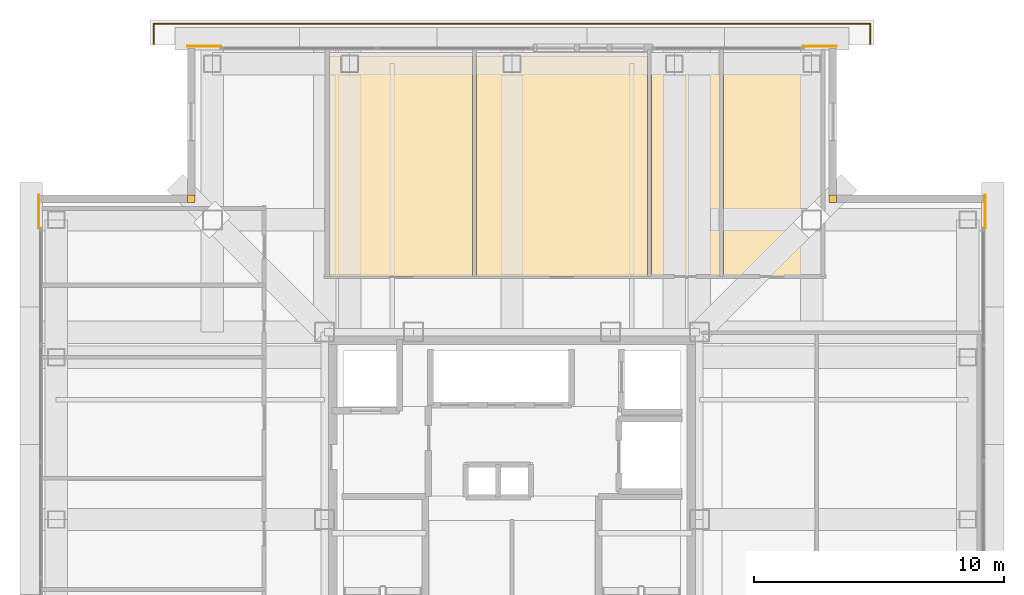
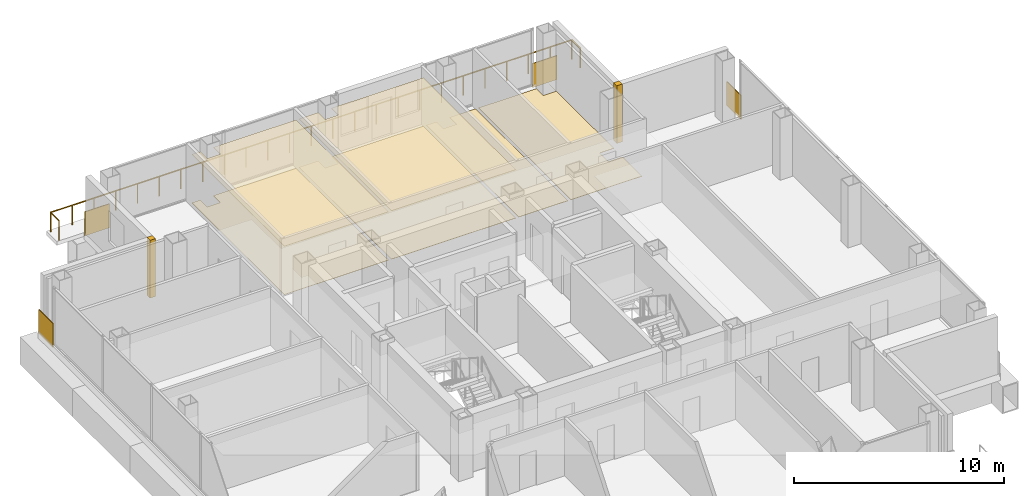
# One storey, part 15 of 15: 12 coverings, 3 railings.
"""IFC4 building model written with IfcOpenShell, lengths in metres."""

from ifc_helpers import new_model, si_unit, direction, frame, frame_2d, origin, origin_2d, place, context, subcontext, project, spatial, polyline, rectangle, circle, outline, extrude, material, layer, layer_set, type_object, element, save


model = new_model("IFC4")

# Units and contexts
model_context = context("Model", 3, precision=1e-05, world=origin(), true_north=direction((0.0, 1.0)))
body_context = subcontext(model_context, "Body", "Model", "MODEL_VIEW")
ifc_project = project(units=[si_unit("LENGTHUNIT", "METRE"), si_unit("AREAUNIT", "SQUARE_METRE"), si_unit("VOLUMEUNIT", "CUBIC_METRE"), si_unit("PLANEANGLEUNIT", "RADIAN"), si_unit("MASSUNIT", "GRAM", prefix="KILO")], contexts=[model_context])

# Site, building, storey
site_placement = place(None, origin())
site = spatial("IfcSite", under=ifc_project, at=site_placement, CompositionType="ELEMENT")
building_placement = place(site_placement, origin())
building = spatial("IfcBuilding", under=site, at=building_placement, Name="Trevonay Congress Spire", CompositionType="ELEMENT")
storey_placement = place(building_placement, frame((0.0, 0.0, 232.39990234375)))
storey = spatial("IfcBuildingStorey", under=building, at=storey_placement, Name="L60", CompositionType="ELEMENT", Elevation=232.39990234375)

# Coverings
ifc_material_1 = material(Name="Acoustic Mineral Fibre Board", Category="gypsum")
ifc_layer_1 = layer(ifc_material_1, 0.02490234375, Name="Acoustic Mineral Fibre Board")
ifc_layer_set_1 = layer_set([ifc_layer_1], Name="Acoustic Mineral Fibre Board")
covering_type_1 = type_object("IfcCoveringType", Name="COV-CEIL-ACOUSTIC", PredefinedType="CEILING", material=ifc_layer_set_1)
covering_1_placement = place(storey_placement, frame((0.0, 0.0, 2.81005859375)))
element("IfcCovering", 1, at=covering_1_placement, inside=storey, type_object=covering_type_1, Name="L60 Defense Attache Office acoustic suspended ceiling", PredefinedType="CEILING", context=body_context, shape_type="SweptSolid", body=[
    extrude(outline(polyline([(-1.580078125, 18.550048828125), (-1.580078125, 9.72998046875), (-7.320068359375, 9.72998046875), (-7.320068359375, 18.550048828125), (-6.860107421875, 18.550048828125), (-6.860107421875, 17.889892578125), (-6.139892578125, 17.889892578125), (-6.139892578125, 18.550048828125), (-1.580078125, 18.550048828125)])), origin(), (0.0, 0.0, 1.0), 0.025146484375),
])
covering_2_placement = place(storey_placement, frame((0.0, 0.0, 2.81005859375)))
element("IfcCovering", 2, at=covering_2_placement, inside=storey, type_object=covering_type_1, Name="L60 Trade Attache Office acoustic suspended ceiling", PredefinedType="CEILING", context=body_context, shape_type="SweptSolid", body=[
    extrude(outline(polyline([(5.419921875, 18.550048828125), (5.419921875, 9.72998046875), (-1.419921875, 9.72998046875), (-1.419921875, 18.550048828125), (-0.360107421875, 18.550048828125), (-0.360107421875, 17.889892578125), (0.360107421875, 17.889892578125), (0.360107421875, 18.550048828125), (5.419921875, 18.550048828125)])), origin(), (0.0, 0.0, 1.0), 0.025146484375),
])
ifc_material_2 = material(Name="Polished Granite Floor Tile", Category="masonry")
ifc_layer_2 = layer(ifc_material_2, 0.02001953125, Name="Polished Granite Floor Tile")
ifc_layer_set_2 = layer_set([ifc_layer_2], Name="Polished Granite Floor Tile")
covering_type_2 = type_object("IfcCoveringType", Name="COV-FLOOR-STONE", PredefinedType="FLOORING", material=ifc_layer_set_2)
covering_3_placement = place(storey_placement, origin())
element("IfcCovering", 3, at=covering_3_placement, inside=storey, type_object=covering_type_2, Name="L60 Female Restroom WC floor finish", PredefinedType="FLOORING", context=body_context, shape_type="SweptSolid", body=[
    extrude(outline(polyline([(8.300048828125, 18.550048828125), (8.300048828125, 9.72998046875), (5.580078125, 9.72998046875), (5.580078125, 18.550048828125), (6.139892578125, 18.550048828125), (6.139892578125, 17.889892578125), (6.860107421875, 17.889892578125), (6.860107421875, 18.550048828125), (8.300048828125, 18.550048828125)])), origin(), (0.0, 0.0, 1.0), 0.02001953125),
])
covering_4_placement = place(storey_placement, origin())
element("IfcCovering", 4, at=covering_4_placement, inside=storey, type_object=covering_type_2, Name="L60 Floor Supplies and Copy Room floor finish", PredefinedType="FLOORING", context=body_context, shape_type="SweptSolid", body=[
    extrude(outline(polyline([(12.3701171875, 9.72998046875), (8.4599609375, 9.72998046875), (8.4599609375, 18.550048828125), (11.639892578125, 18.550048828125), (11.639892578125, 17.889892578125), (12.360107421875, 17.889892578125), (12.360107421875, 18.550048828125), (12.3701171875, 18.550048828125), (12.3701171875, 12.409912109375), (11.590087890625, 12.409912109375), (11.590087890625, 11.590087890625), (12.3701171875, 11.590087890625), (12.3701171875, 9.72998046875)])), origin(), (0.0, 0.0, 1.0), 0.02001953125),
])
ifc_material_3 = material(Name="Engineered Oak Flooring", Category="wood")
ifc_layer_3 = layer(ifc_material_3, 0.01806640625, Name="Engineered Oak Flooring")
ifc_layer_set_3 = layer_set([ifc_layer_3], Name="Engineered Oak Flooring")
covering_type_3 = type_object("IfcCoveringType", Name="COV-FLOOR-TIMBER", PredefinedType="FLOORING", material=ifc_layer_set_3)
covering_5_placement = place(storey_placement, origin())
element("IfcCovering", 5, at=covering_5_placement, inside=storey, type_object=covering_type_3, Name="L60 Defense Attache Office floor finish", PredefinedType="FLOORING", context=body_context, shape_type="SweptSolid", body=[
    extrude(outline(polyline([(-1.580078125, 18.550048828125), (-1.580078125, 9.72998046875), (-7.320068359375, 9.72998046875), (-7.320068359375, 18.550048828125), (-6.860107421875, 18.550048828125), (-6.860107421875, 17.889892578125), (-6.139892578125, 17.889892578125), (-6.139892578125, 18.550048828125), (-1.580078125, 18.550048828125)])), origin(), (0.0, 0.0, 1.0), 0.01806640625),
])
covering_6_placement = place(storey_placement, origin())
element("IfcCovering", 6, at=covering_6_placement, inside=storey, type_object=covering_type_3, Name="L60 Trade Attache Office floor finish", PredefinedType="FLOORING", context=body_context, shape_type="SweptSolid", body=[
    extrude(outline(polyline([(5.419921875, 18.550048828125), (5.419921875, 9.72998046875), (-1.419921875, 9.72998046875), (-1.419921875, 18.550048828125), (-0.360107421875, 18.550048828125), (-0.360107421875, 17.889892578125), (0.360107421875, 17.889892578125), (0.360107421875, 18.550048828125), (5.419921875, 18.550048828125)])), origin(), (0.0, 0.0, 1.0), 0.01806640625),
])
ifc_material_4 = material(Name="Pale Anodised Aluminium EN AW-6063-T6", Category="aluminium")
ifc_layer_4 = layer(ifc_material_4, 0.0400390625, Name="Pale Anodised Aluminium EN AW-6063-T6")
ifc_layer_set_4 = layer_set([ifc_layer_4], Name="Pale Anodised Aluminium EN AW-6063-T6")
covering_type_4 = type_object("IfcCoveringType", Name="COV-SPANDREL-PALE-METAL", PredefinedType="CLADDING", material=ifc_layer_set_4)
covering_7_placement = place(storey_placement, origin())
element("IfcCovering", 7, at=covering_7_placement, inside=storey, type_object=covering_type_4, Name="L60 NE re-entrant notch corner closure trim", PredefinedType="CLADDING", context=body_context, shape_type="SweptSolid", body=[
    extrude(outline(polyline([(12.699951171875, 12.699951171875), (13.0, 12.699951171875), (13.0, 13.0), (12.699951171875, 13.0), (12.699951171875, 12.699951171875)])), origin(), (0.0, 0.0, 1.0), 3.360107421875),
])
for number, where, z_axis, x_axis, name in (
    (8, (18.93994140625, 11.64990234375, -0.14990234375), (0.0, 0.0, 1.0), (0.0, 1.0, 0.0), "L60 NE corner pier spandrel cladding 1"),
    (9, (11.64990234375, 18.93994140625, -0.14990234375), (0.0, 0.0, 1.0), (1.0, 0.0, 0.0), "L60 NE corner pier spandrel cladding 2"),
):
    element("IfcCovering", number, at=place(storey_placement, frame(where, z_axis=z_axis, x_axis=x_axis)), inside=storey, type_object=covering_type_4, Name=name, PredefinedType="CLADDING", context=body_context, shape_type="SweptSolid", body=[
        extrude(rectangle(XDim=1.35009765625, YDim=0.0400390625, at=frame_2d((0.675048828125, 0.0))), origin(), (0.0, 0.0, 1.0), 1.39990234375),
    ])
covering_8_placement = place(storey_placement, origin())
element("IfcCovering", 10, at=covering_8_placement, inside=storey, type_object=covering_type_4, Name="L60 NW re-entrant notch corner closure trim", PredefinedType="CLADDING", context=body_context, shape_type="SweptSolid", body=[
    extrude(outline(polyline([(-13.0, 12.699951171875), (-12.699951171875, 12.699951171875), (-12.699951171875, 13.0), (-13.0, 13.0), (-13.0, 12.699951171875)])), origin(), (0.0, 0.0, 1.0), 3.360107421875),
])
for number, where, z_axis, x_axis, name in (
    (11, (-18.93994140625, 11.64990234375, -0.14990234375), (0.0, 0.0, 1.0), (0.0, 1.0, 0.0), "L60 NW corner pier spandrel cladding 1"),
    (12, (-11.64990234375, 18.93994140625, -0.14990234375), (0.0, 0.0, 1.0), (-1.0, 0.0, 0.0), "L60 NW corner pier spandrel cladding 2"),
):
    element("IfcCovering", number, at=place(storey_placement, frame(where, z_axis=z_axis, x_axis=x_axis)), inside=storey, type_object=covering_type_4, Name=name, PredefinedType="CLADDING", context=body_context, shape_type="SweptSolid", body=[
        extrude(rectangle(XDim=1.35009765625, YDim=0.0400390625, at=frame_2d((0.675048828125, 0.0))), origin(), (0.0, 0.0, 1.0), 1.39990234375),
    ])

# Railings
railing_type = type_object("IfcRailingType", Name="RAL-BALUSTRADE-115", PredefinedType="BALUSTRADE", material=ifc_material_4)
railing_1_placement = place(storey_placement, frame((-14.35009765625, 19.050048828125, 0.0)))
element("IfcRailing", 13, at=railing_1_placement, inside=storey, type_object=railing_type, Name="L60 perimeter safety guard GRD-L60-SKY-N-1", PredefinedType="BALUSTRADE", context=body_context, shape_type="SweptSolid", body=[
    extrude(circle(Radius=0.02392578125, at=origin_2d()), frame((0.0, 0.0, 1.1259765625), z_axis=(0.0, 1.0, 0.0), x_axis=(-1.0, 0.0, 0.0)), (0.0, 0.0, 1.0), 0.800048828125),
    extrude(circle(Radius=0.02099609375, at=origin_2d()), origin(), (0.0, 0.0, 1.0), 1.101806640625),
    extrude(circle(Radius=0.02099609375, at=origin_2d()), frame((0.0, 0.800048828125, 0.0)), (0.0, 0.0, 1.0), 1.101806640625),
])
railing_2_placement = place(storey_placement, frame((-14.35009765625, 19.85009765625, 0.0)))
element("IfcRailing", 14, at=railing_2_placement, inside=storey, type_object=railing_type, Name="L60 perimeter safety guard GRD-L60-SKY-N-2", PredefinedType="BALUSTRADE", context=body_context, shape_type="SweptSolid", body=[
    extrude(circle(Radius=0.02392578125, at=origin_2d()), frame((0.0, 0.0, 1.1259765625), z_axis=(1.0, 0.0, 0.0), x_axis=(0.0, 1.0, 0.0)), (0.0, 0.0, 1.0), 28.7001953125),
    extrude(circle(Radius=0.02099609375, at=origin_2d()), origin(), (0.0, 0.0, 1.0), 1.101806640625),
    extrude(circle(Radius=0.02099609375, at=origin_2d()), frame((1.19580078125, 0.0, 0.0)), (0.0, 0.0, 1.0), 1.101806640625),
    extrude(circle(Radius=0.02099609375, at=origin_2d()), frame((2.3916015625, 0.0, 0.0)), (0.0, 0.0, 1.0), 1.101806640625),
    extrude(circle(Radius=0.02099609375, at=origin_2d()), frame((3.58740234375, 0.0, 0.0)), (0.0, 0.0, 1.0), 1.101806640625),
    extrude(circle(Radius=0.02099609375, at=origin_2d()), frame((4.783447265625, 0.0, 0.0)), (0.0, 0.0, 1.0), 1.101806640625),
    extrude(circle(Radius=0.02099609375, at=origin_2d()), frame((5.979248046875, 0.0, 0.0)), (0.0, 0.0, 1.0), 1.101806640625),
    extrude(circle(Radius=0.02099609375, at=origin_2d()), frame((7.175048828125, 0.0, 0.0)), (0.0, 0.0, 1.0), 1.101806640625),
    extrude(circle(Radius=0.02099609375, at=origin_2d()), frame((8.370849609375, 0.0, 0.0)), (0.0, 0.0, 1.0), 1.101806640625),
    extrude(circle(Radius=0.02099609375, at=origin_2d()), frame((9.566650390625, 0.0, 0.0)), (0.0, 0.0, 1.0), 1.101806640625),
    extrude(circle(Radius=0.02099609375, at=origin_2d()), frame((10.7626953125, 0.0, 0.0)), (0.0, 0.0, 1.0), 1.101806640625),
    extrude(circle(Radius=0.02099609375, at=origin_2d()), frame((11.95849609375, 0.0, 0.0)), (0.0, 0.0, 1.0), 1.101806640625),
    extrude(circle(Radius=0.02099609375, at=origin_2d()), frame((13.154296875, 0.0, 0.0)), (0.0, 0.0, 1.0), 1.101806640625),
    extrude(circle(Radius=0.02099609375, at=origin_2d()), frame((14.35009765625, 0.0, 0.0)), (0.0, 0.0, 1.0), 1.101806640625),
    extrude(circle(Radius=0.02099609375, at=origin_2d()), frame((15.5458984375, 0.0, 0.0)), (0.0, 0.0, 1.0), 1.101806640625),
    extrude(circle(Radius=0.02099609375, at=origin_2d()), frame((16.74169921875, 0.0, 0.0)), (0.0, 0.0, 1.0), 1.101806640625),
    extrude(circle(Radius=0.02099609375, at=origin_2d()), frame((17.9375, 0.0, 0.0)), (0.0, 0.0, 1.0), 1.101806640625),
    extrude(circle(Radius=0.02099609375, at=origin_2d()), frame((19.133544921875, 0.0, 0.0)), (0.0, 0.0, 1.0), 1.101806640625),
    extrude(circle(Radius=0.02099609375, at=origin_2d()), frame((20.329345703125, 0.0, 0.0)), (0.0, 0.0, 1.0), 1.101806640625),
    extrude(circle(Radius=0.02099609375, at=origin_2d()), frame((21.525146484375, 0.0, 0.0)), (0.0, 0.0, 1.0), 1.101806640625),
    extrude(circle(Radius=0.02099609375, at=origin_2d()), frame((22.720947265625, 0.0, 0.0)), (0.0, 0.0, 1.0), 1.101806640625),
    extrude(circle(Radius=0.02099609375, at=origin_2d()), frame((23.916748046875, 0.0, 0.0)), (0.0, 0.0, 1.0), 1.101806640625),
    extrude(circle(Radius=0.02099609375, at=origin_2d()), frame((25.11279296875, 0.0, 0.0)), (0.0, 0.0, 1.0), 1.101806640625),
    extrude(circle(Radius=0.02099609375, at=origin_2d()), frame((26.30859375, 0.0, 0.0)), (0.0, 0.0, 1.0), 1.101806640625),
    extrude(circle(Radius=0.02099609375, at=origin_2d()), frame((27.50439453125, 0.0, 0.0)), (0.0, 0.0, 1.0), 1.101806640625),
    extrude(circle(Radius=0.02099609375, at=origin_2d()), frame((28.7001953125, 0.0, 0.0)), (0.0, 0.0, 1.0), 1.101806640625),
])
railing_3_placement = place(storey_placement, frame((14.35009765625, 19.85009765625, 0.0)))
element("IfcRailing", 15, at=railing_3_placement, inside=storey, type_object=railing_type, Name="L60 perimeter safety guard GRD-L60-SKY-N-3", PredefinedType="BALUSTRADE", context=body_context, shape_type="SweptSolid", body=[
    extrude(circle(Radius=0.02392578125, at=origin_2d()), frame((0.0, 0.0, 1.1259765625), z_axis=(0.0, -1.0, 0.0), x_axis=(1.0, 0.0, 0.0)), (0.0, 0.0, 1.0), 0.800048828125),
    extrude(circle(Radius=0.02099609375, at=origin_2d()), origin(), (0.0, 0.0, 1.0), 1.101806640625),
    extrude(circle(Radius=0.02099609375, at=origin_2d()), frame((0.0, -0.800048828125, 0.0)), (0.0, 0.0, 1.0), 1.101806640625),
])

save(model, "model.ifc")
